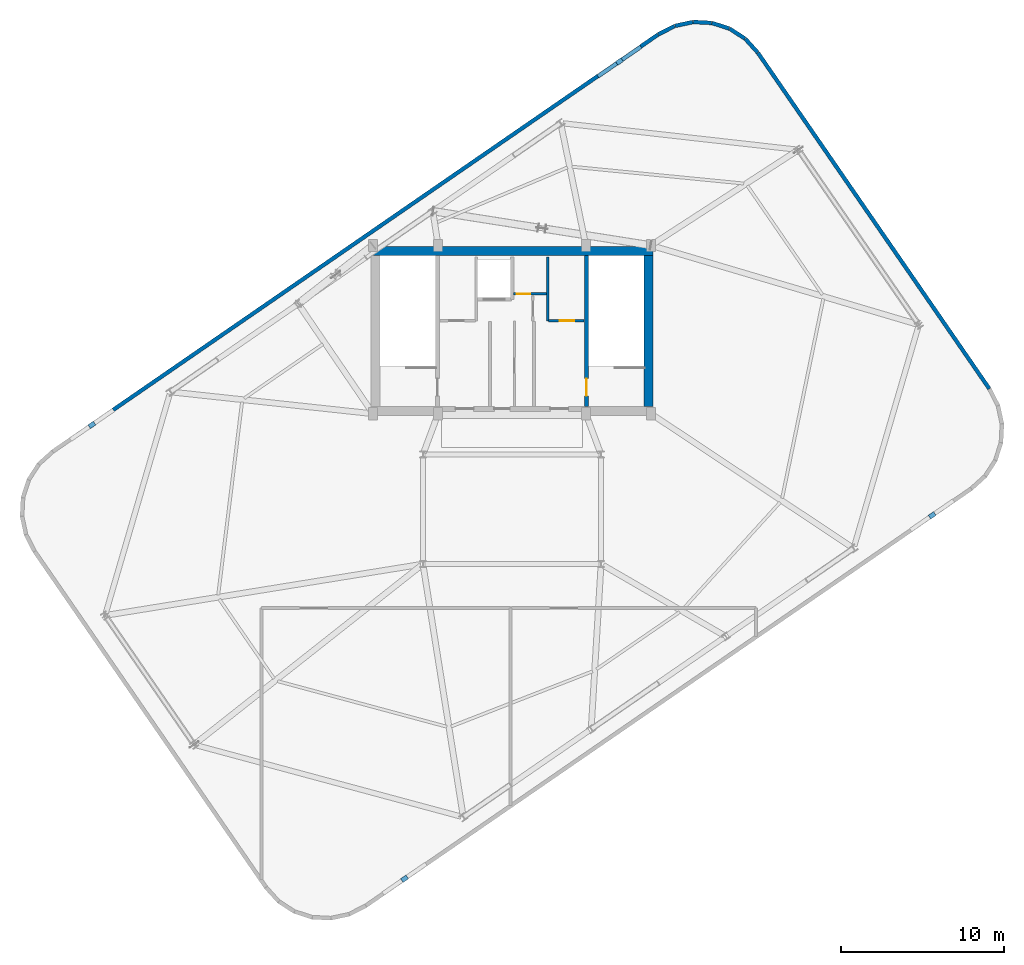
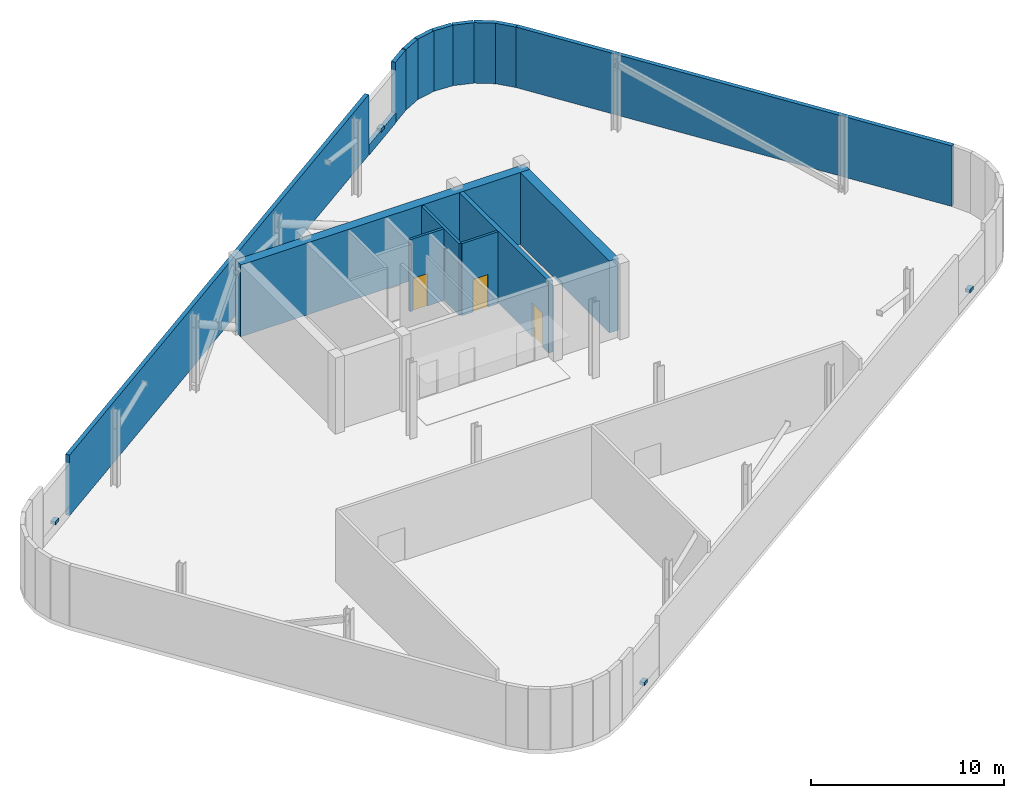
# One storey, part 9 of 10: 16 walls, 4 discrete accessories, 3 doors, 3 openings.
"""IFC4 building model written with IfcOpenShell, lengths in metres."""

import ifcopenshell
import ifcopenshell.guid

model = None  # the IFC model being written
_history = None  # IfcOwnerHistory: only IFC2X3 demands one
_inside = {}  # id of a spatial element -> (the spatial element, [elements in it])
_under = {}  # id of a project, library or spatial element -> (it, [spatial elements below it])
_declared = {}  # id of a project -> (the project, [libraries it declares])
_typed = {}  # id of a type object -> (the type object, [elements of that type])
_made_of = {}  # id of a material, layer set ... -> (it, [elements and type objects made of it])


def new_model(schema):
    """Start an empty IFC model of exactly this schema.

    Asked for "IFC4X3", IfcOpenShell would pick the latest addendum, in which some entities
    have other attributes; the version numbers below select the first issue.
    IFC2X3 requires an IfcOwnerHistory on every rooted entity: one is made here for all.
    """
    global model, _history
    if schema == "IFC4X3":
        model = ifcopenshell.file(schema_version=(4, 3, 0, 0))
    else:
        model = ifcopenshell.file(schema=schema)
    _inside.clear()
    _under.clear()
    _declared.clear()
    _typed.clear()
    _made_of.clear()
    _history = None
    if model.schema == "IFC2X3":
        org = make("IfcOrganization", Name="unknown")
        user = make(
            "IfcPersonAndOrganization",
            ThePerson=make("IfcPerson", FamilyName="unknown"),
            TheOrganization=org,
        )
        app = make(
            "IfcApplication",
            ApplicationDeveloper=org,
            Version="unknown",
            ApplicationFullName="unknown",
            ApplicationIdentifier="unknown",
        )
        _history = make(
            "IfcOwnerHistory",
            OwningUser=user,
            OwningApplication=app,
            ChangeAction="ADDED",
            CreationDate=0,
        )
    return model


def make(cls, **values):
    """One entity of the class cls with the attributes given. An attribute that is None is left unset."""
    return model.create_entity(
        cls, **{name: value for name, value in values.items() if value is not None}
    )


def rooted(cls, **values):
    """An entity with a GlobalId (a new one), such as an element, a storey or a relation."""
    return make(cls, GlobalId=ifcopenshell.guid.new(), OwnerHistory=_history, **values)


def si_unit(unit_type, name, prefix=None):
    """IfcSIUnit, for example si_unit("LENGTHUNIT", "METRE", prefix="MILLI")."""
    return make("IfcSIUnit", UnitType=unit_type, Prefix=prefix, Name=name)


def assignment(units):
    """IfcUnitAssignment: the units of a project."""
    return None if units is None else make("IfcUnitAssignment", Units=units)


def point(xyz):
    """IfcCartesianPoint."""
    return None if xyz is None else make("IfcCartesianPoint", Coordinates=xyz)


def direction(xyz):
    """IfcDirection."""
    return None if xyz is None else make("IfcDirection", DirectionRatios=xyz)


def frame(location, z_axis=None, x_axis=None):
    """IfcAxis2Placement3D, a coordinate frame: its origin and axes. An axis left out is left unset."""
    return make(
        "IfcAxis2Placement3D",
        Location=point(location),
        Axis=direction(z_axis),
        RefDirection=direction(x_axis),
    )


def frame_2d(location, x_axis=None):
    """IfcAxis2Placement2D, a coordinate frame in the plane: its origin and x axis."""
    return make(
        "IfcAxis2Placement2D", Location=point(location), RefDirection=direction(x_axis)
    )


def origin():
    """The frame at (0, 0, 0) with its axes left unset."""
    return frame((0.0, 0.0, 0.0))


def origin_2d():
    """The frame at (0, 0) in the plane with its x axis left unset."""
    return frame_2d((0.0, 0.0))


def place(relative_to, where):
    """IfcLocalPlacement: puts the frame where relative to a parent placement (None: the world)."""
    return make(
        "IfcLocalPlacement", PlacementRelTo=relative_to, RelativePlacement=where
    )


def context(
    kind, dimensions, precision=None, world=None, true_north=None, identifier=None
):
    """IfcGeometricRepresentationContext, for example the 3D "Model" context."""
    return make(
        "IfcGeometricRepresentationContext",
        ContextIdentifier=identifier,
        ContextType=kind,
        CoordinateSpaceDimension=dimensions,
        Precision=precision,
        WorldCoordinateSystem=world,
        TrueNorth=true_north,
    )


def subcontext(parent, identifier, kind, view, scale=None):
    """IfcGeometricRepresentationSubContext, for example "Body" below "Model"."""
    return make(
        "IfcGeometricRepresentationSubContext",
        ContextIdentifier=identifier,
        ContextType=kind,
        ParentContext=parent,
        TargetScale=scale,
        TargetView=view,
    )


def project(units=None, contexts=None):
    """IfcProject with its units and contexts."""
    return rooted(
        "IfcProject",
        Name="project",
        RepresentationContexts=contexts,
        UnitsInContext=assignment(units),
    )


def spatial(cls, under=None, at=None, **own):
    """A site, building, storey or space (cls), placed at a placement, below another one or the project."""
    s = rooted(cls, ObjectPlacement=at, **own)
    if under is not None:
        _under.setdefault(under.id(), (under, []))[1].append(s)
    return s


def profile(cls, at=None, kind="AREA", **sizes):
    """A parametric profile (cls). Its sizes go by their IFC names, for example OverallWidth=200.0."""
    return make(cls, ProfileType=kind, Position=at, **sizes)


def rectangle(**sizes):
    """IfcRectangleProfileDef."""
    return profile("IfcRectangleProfileDef", **sizes)


def extrude(swept, where, along, depth):
    """IfcExtrudedAreaSolid: the profile swept, set in the frame where, extruded along a direction by depth."""
    return make(
        "IfcExtrudedAreaSolid",
        SweptArea=swept,
        Position=where,
        ExtrudedDirection=direction(along),
        Depth=depth,
    )


def shape(context_of_items, identifier, shape_type, items):
    """IfcShapeRepresentation: the items that make up one representation, for example the "Body"."""
    return make(
        "IfcShapeRepresentation",
        ContextOfItems=context_of_items,
        RepresentationIdentifier=identifier,
        RepresentationType=shape_type,
        Items=items,
    )


def source(mapping_origin, context_of_items, identifier, shape_type, items):
    """IfcRepresentationMap: a shape defined once, which mapped items show again and again."""
    return make(
        "IfcRepresentationMap",
        MappingOrigin=mapping_origin,
        MappedRepresentation=shape(context_of_items, identifier, shape_type, items),
    )


def transform(
    local_origin,
    x_axis=None,
    y_axis=None,
    z_axis=None,
    scale=None,
    scale2=None,
    scale3=None,
    uniform=True,
):
    """IfcCartesianTransformationOperator3D, or its non-uniform kind. x_axis, y_axis, z_axis: its Axis1, 2, 3."""
    if uniform:
        return make(
            "IfcCartesianTransformationOperator3D",
            Axis1=direction(x_axis),
            Axis2=direction(y_axis),
            LocalOrigin=point(local_origin),
            Scale=scale,
            Axis3=direction(z_axis),
        )
    return make(
        "IfcCartesianTransformationOperator3DnonUniform",
        Axis1=direction(x_axis),
        Axis2=direction(y_axis),
        LocalOrigin=point(local_origin),
        Scale=scale,
        Axis3=direction(z_axis),
        Scale2=scale2,
        Scale3=scale3,
    )


def mapped(mapping_source, mapping_target):
    """IfcMappedItem: shows the shape of a source again, moved by a transform."""
    return make(
        "IfcMappedItem", MappingSource=mapping_source, MappingTarget=mapping_target
    )


def material(Name=None, Category=None):
    """IfcMaterial."""
    return make("IfcMaterial", Name=Name, Category=Category)


def layer(
    of_material, thickness, ventilated=None, Name=None, Category=None, Priority=None
):
    """IfcMaterialLayer: one layer of a wall or slab, of a material (None: an air gap)."""
    return make(
        "IfcMaterialLayer",
        Material=of_material,
        LayerThickness=thickness,
        IsVentilated=ventilated,
        Name=Name,
        Category=Category,
        Priority=Priority,
    )


def layer_set(layers, Name=None):
    """IfcMaterialLayerSet."""
    return make("IfcMaterialLayerSet", MaterialLayers=layers, LayerSetName=Name)


def made_of(thing, what):
    """Note that an element or type object is made of a material, layer set ...; save() writes the relation."""
    if what is not None:
        _made_of.setdefault(what.id(), (what, []))[1].append(thing)
    return thing


def type_object(cls, material=None, **own):
    """A type object (cls), such as IfcWallType, which elements share."""
    return made_of(rooted(cls, **own), material)


def element(
    cls,
    number,
    at=None,
    inside=None,
    cuts=None,
    type_object=None,
    material=None,
    context=None,
    identifier="Body",
    shape_type=None,
    held_by="IfcProductDefinitionShape",
    body=None,
    shapes=None,
    **own,
):
    """One element of the class cls, such as IfcWall. Its Tag is "e" and its number.

    at: its placement. inside: the storey or other place that contains it. cuts: it is an
    opening in that element (IfcRelVoidsElement). A single representation is given by context,
    identifier, shape_type and body (its items); several are given by shapes. held_by: the class
    of the entity that holds the representations. save() writes the other relations.
    """
    e = rooted(cls, Tag="e%d" % number, ObjectPlacement=at, **own)
    if body is not None:
        shapes = [shape(context, identifier, shape_type, body)]
    if shapes is not None:
        e.Representation = make(held_by, Representations=shapes)
    if inside is not None:
        _inside.setdefault(inside.id(), (inside, []))[1].append(e)
    if cuts is not None:
        rooted(
            "IfcRelVoidsElement", RelatingBuildingElement=cuts, RelatedOpeningElement=e
        )
    if type_object is not None:
        _typed.setdefault(type_object.id(), (type_object, []))[1].append(e)
    return made_of(e, material)


def fill(opening, filler):
    """IfcRelFillsElement: the door or window that sits in an opening."""
    return rooted(
        "IfcRelFillsElement",
        RelatingOpeningElement=opening,
        RelatedBuildingElement=filler,
    )


def aggregate(whole, parts):
    """IfcRelAggregates: a whole, such as a stair, and the parts it consists of."""
    return rooted("IfcRelAggregates", RelatingObject=whole, RelatedObjects=parts)


def save(model, path):
    """Write the relations noted so far, then the file.

    IfcRelAggregates (storeys below a building ...), IfcRelContainedInSpatialStructure (elements
    in a storey), IfcRelDefinesByType, IfcRelAssociatesMaterial and IfcRelDeclares: one each for
    every whole, place, type object, material and project.
    """
    for whole, parts in _under.values():
        aggregate(whole, parts)
    for where, things in _inside.values():
        rooted(
            "IfcRelContainedInSpatialStructure",
            RelatedElements=things,
            RelatingStructure=where,
        )
    for kind, things in _typed.values():
        rooted("IfcRelDefinesByType", RelatedObjects=things, RelatingType=kind)
    for what, things in _made_of.values():
        rooted("IfcRelAssociatesMaterial", RelatedObjects=things, RelatingMaterial=what)
    for by, libraries in _declared.values():
        rooted("IfcRelDeclares", RelatingContext=by, RelatedDefinitions=libraries)
    model.write(path)


model = new_model("IFC4")

# Units and contexts
model_context = context("Model", 3, precision=1e-05, world=origin(), true_north=direction((0.0, 1.0)))
body_context = subcontext(model_context, "Body", "Model", "MODEL_VIEW")
ifc_project = project(units=[si_unit("LENGTHUNIT", "METRE"), si_unit("AREAUNIT", "SQUARE_METRE"), si_unit("VOLUMEUNIT", "CUBIC_METRE"), si_unit("PLANEANGLEUNIT", "RADIAN"), si_unit("MASSUNIT", "GRAM", prefix="KILO")], contexts=[model_context])

# Site, building, storey
site_placement = place(None, origin())
site = spatial("IfcSite", under=ifc_project, at=site_placement, CompositionType="ELEMENT")
building_placement = place(site_placement, origin())
building = spatial("IfcBuilding", under=site, at=building_placement, Name="Varnelok Gate Tower", CompositionType="ELEMENT")
storey_placement = place(building_placement, frame((0.0, 0.0, 305.89990234375)))
storey = spatial("IfcBuildingStorey", under=building, at=storey_placement, Name="L78", CompositionType="ELEMENT", Elevation=305.89990234375)

# Walls
ifc_material_1 = material(Name="Concrete C45/55", Category="concrete")
ifc_layer_1 = layer(ifc_material_1, 0.239990234375)
ifc_layer_set_1 = layer_set([ifc_layer_1], Name="Concrete C45/55")
wall_type_1 = type_object("IfcWallType", Name="EW-PLANT-240", PredefinedType="SOLIDWALL", material=ifc_layer_set_1)
wall_1_placement = place(storey_placement, frame((44.45947265625, 49.3955078125, 0.0), z_axis=(0.0, 0.0, 1.0), x_axis=(0.82350284866, 0.567312134763, 0.0)))
element("IfcWall", 1, at=wall_1_placement, inside=storey, type_object=wall_type_1, Name="L78 Plant Louvre Sill Wall N2", PredefinedType="SOLIDWALL", context=body_context, shape_type="SweptSolid", body=[
    extrude(rectangle(XDim=3.199951171875, YDim=0.239990234375, at=frame_2d((1.60009765625, 0.0))), origin(), (0.0, 0.0, 1.0), 0.650146484375),
])
wall_2_placement = place(storey_placement, frame((68.40869140625, 30.281005859375, 0.0), z_axis=(0.0, 0.0, 1.0), x_axis=(-0.567267940859, 0.823533292146, 0.0)))
element("IfcWall", 2, at=wall_2_placement, inside=storey, type_object=wall_type_1, Name="L78 Perimeter Facade Closure Wall 16", PredefinedType="SOLIDWALL", context=body_context, shape_type="SweptSolid", body=[
    extrude(rectangle(XDim=24.95947265625, YDim=0.239990234375, at=frame_2d((12.479736328125, 0.0))), origin(), (0.0, 0.0, 1.0), 3.820068359375),
])
wall_3_placement = place(storey_placement, frame((54.2333984375, 50.8544921875, 0.0), z_axis=(0.0, 0.0, 1.0), x_axis=(-0.669970349923, 0.742387857002, 0.0)))
element("IfcWall", 3, at=wall_3_placement, inside=storey, type_object=wall_type_1, Name="L78 Perimeter Facade Closure Wall 17", PredefinedType="SOLIDWALL", context=body_context, shape_type="SweptSolid", body=[
    extrude(rectangle(XDim=1.1259765625, YDim=0.239990234375, at=frame_2d((0.56298828125, 0.0))), origin(), (0.0, 0.0, 1.0), 3.820068359375),
])
wall_4_placement = place(storey_placement, frame((53.4580078125, 51.7041015625, 0.0), z_axis=(0.0, 0.0, 1.0), x_axis=(-0.839236036225, 0.543767299037, 0.0)))
element("IfcWall", 4, at=wall_4_placement, inside=storey, type_object=wall_type_1, Name="L78 Perimeter Facade Closure Wall 18", PredefinedType="SOLIDWALL", context=body_context, shape_type="SweptSolid", body=[
    extrude(rectangle(XDim=1.117919921875, YDim=0.239990234375, at=frame_2d((0.55908203125, 0.0))), origin(), (0.0, 0.0, 1.0), 3.820068359375),
])
for number, where, z_axis, x_axis, name in (
    (5, (52.495849609375, 52.31982421875, 0.0), (0.0, 0.0, 1.0), (-0.951356078726, 0.308093510921, 0.0), "L78 Perimeter Facade Closure Wall 19"),
    (6, (51.4072265625, 52.66552734375, 0.0), (0.0, 0.0, 1.0), (-0.998682791079, 0.051309675536, 0.0), "L78 Perimeter Facade Closure Wall 20"),
    (7, (50.26611328125, 52.717529296875, 0.0), (0.0, 0.0, 1.0), (-0.977926852423, -0.208947532433, 0.0), "L78 Perimeter Facade Closure Wall 21"),
):
    element("IfcWall", number, at=place(storey_placement, frame(where, z_axis=z_axis, x_axis=x_axis)), inside=storey, type_object=wall_type_1, Name=name, PredefinedType="SOLIDWALL", context=body_context, shape_type="SweptSolid", body=[
        extrude(rectangle(XDim=1.1181640625, YDim=0.239990234375, at=frame_2d((0.55908203125, 0.0))), origin(), (0.0, 0.0, 1.0), 3.820068359375),
    ])
wall_5_placement = place(storey_placement, frame((49.150390625, 52.47265625, 0.0), z_axis=(0.0, 0.0, 1.0), x_axis=(-0.890491286744, -0.455000294761, 0.0)))
element("IfcWall", 8, at=wall_5_placement, inside=storey, type_object=wall_type_1, Name="L78 Perimeter Facade Closure Wall 22", PredefinedType="SOLIDWALL", context=body_context, shape_type="SweptSolid", body=[
    extrude(rectangle(XDim=1.126220703125, YDim=0.239990234375, at=frame_2d((0.56298828125, 0.0))), origin(), (0.0, 0.0, 1.0), 3.820068359375),
])
wall_6_placement = place(storey_placement, frame((48.126953125, 51.946044921875, 0.0), z_axis=(0.0, 0.0, 1.0), x_axis=(-0.823535605794, -0.567264581998, 0.0)))
element("IfcWall", 9, at=wall_6_placement, inside=storey, type_object=wall_type_1, Name="L78 Perimeter Facade Closure Wall 23", PredefinedType="SOLIDWALL", context=body_context, shape_type="SweptSolid", body=[
    extrude(rectangle(XDim=1.26708984375, YDim=0.239990234375, at=frame_2d((0.633544921875, 0.0))), origin(), (0.0, 0.0, 1.0), 3.820068359375),
])
wall_7_placement = place(storey_placement, frame((44.447998046875, 49.412109375, 0.0), z_axis=(0.0, 0.0, 1.0), x_axis=(-0.823531813074, -0.567270088102, 0.0)))
element("IfcWall", 10, at=wall_7_placement, inside=storey, type_object=wall_type_1, Name="L78 Perimeter Facade Closure Wall 24", PredefinedType="SOLIDWALL", context=body_context, shape_type="SweptSolid", body=[
    extrude(rectangle(XDim=36.01025390625, YDim=0.239990234375, at=frame_2d((18.005126953125, 0.0))), origin(), (0.0, 0.0, 1.0), 3.820068359375),
])

# Wall, opening, door
ifc_material_2 = material(Name="Gypsum Plasterboard Acoustic Partition", Category="gypsum")
ifc_layer_2 = layer(ifc_material_2, 0.14990234375)
ifc_layer_set_2 = layer_set([ifc_layer_2], Name="Gypsum Plasterboard Acoustic Partition")
wall_type_2 = type_object("IfcWallType", Name="PW-PART-150", PredefinedType="PARTITIONING", material=ifc_layer_set_2)
wall_8_placement = place(storey_placement, frame((41.43994140625, 34.43994140625, 0.0), z_axis=(0.0, 0.0, 1.0), x_axis=(1.0, 0.0, 0.0)))
wall_8 = element("IfcWall", 11, at=wall_8_placement, inside=storey, type_object=wall_type_2, Name="Interior Partition", PredefinedType="PARTITIONING", context=body_context, shape_type="SweptSolid", body=[
    extrude(rectangle(XDim=2.16015625, YDim=0.14990234375, at=frame_2d((1.080078125, 0.0))), origin(), (0.0, 0.0, 1.0), 4.5400390625),
])
opening_1_placement = place(wall_8_placement, frame((0.668212890625, 0.0, 0.0)))
opening_1 = element("IfcOpeningElement", 12, at=opening_1_placement, cuts=wall_8, Name="Opening D-I4", PredefinedType="OPENING", context=body_context, shape_type="SweptSolid", body=[
    extrude(rectangle(XDim=0.89990234375, YDim=2.050048828125, at=frame_2d((0.449951171875, 1.02490234375))), frame((0.0, 0.0849609375, 0.0), z_axis=(0.0, -1.0, 0.0), x_axis=(1.0, 0.0, 0.0)), (0.0, 0.0, 1.0), 0.169921875),
])
ifc_material_3 = material(Name="Engineered Hardwood Timber", Category="wood")
door_type_1 = type_object("IfcDoorType", Name="DR-INT-900", OperationType="NOTDEFINED", PredefinedType="DOOR", material=ifc_material_3)
door_1_placement = place(opening_1_placement, origin())
door_1 = element("IfcDoor", 13, at=door_1_placement, inside=storey, type_object=door_type_1, Name="L78 Emergency Gear Store Door", OperationType="SINGLE_SWING_LEFT", OverallHeight=2.050048828125, OverallWidth=0.89990234375, PredefinedType="DOOR", context=body_context, shape_type="SweptSolid", body=[
    extrude(rectangle(XDim=0.89990234375, YDim=2.050048828125, at=frame_2d((0.449951171875, 1.02490234375))), frame((0.0, 0.02490234375, 0.0), z_axis=(0.0, -1.0, 0.0), x_axis=(1.0, 0.0, 0.0)), (0.0, 0.0, 1.0), 0.050048828125),
])
fill(opening_1, door_1)

# Wall
wall_9_placement = place(storey_placement, frame((41.39990234375, 34.43994140625, 0.0), z_axis=(0.0, 0.0, 1.0), x_axis=(0.0, 1.0, 0.0)))
element("IfcWall", 14, at=wall_9_placement, inside=storey, type_object=wall_type_2, Name="Interior Partition", PredefinedType="PARTITIONING", context=body_context, shape_type="SweptSolid", body=[
    extrude(rectangle(XDim=3.900146484375, YDim=0.14990234375, at=frame_2d((1.9501953125, 0.0))), origin(), (0.0, 0.0, 1.0), 4.5400390625),
])

# Wall, opening, door
wall_10_placement = place(storey_placement, frame((39.300048828125, 36.080078125, 0.0), z_axis=(0.0, 0.0, 1.0), x_axis=(1.0, 0.0, 0.0)))
wall_10 = element("IfcWall", 15, at=wall_10_placement, inside=storey, type_object=wall_type_2, Name="L78 Electrical Closet South Wall", PredefinedType="PARTITIONING", context=body_context, shape_type="SweptSolid", body=[
    extrude(rectangle(XDim=2.02001953125, YDim=0.14990234375, at=frame_2d((1.010009765625, 0.0))), origin(), (0.0, 0.0, 1.0), 4.5400390625),
])
opening_2_placement = place(wall_10_placement, frame((0.179931640625, 0.0, 0.0)))
opening_2 = element("IfcOpeningElement", 16, at=opening_2_placement, cuts=wall_10, Name="Opening D-RS", PredefinedType="OPENING", context=body_context, shape_type="SweptSolid", body=[
    extrude(rectangle(XDim=0.85009765625, YDim=2.050048828125, at=frame_2d((0.425048828125, 1.02490234375))), frame((0.0, 0.0849609375, 0.0), z_axis=(0.0, -1.0, 0.0), x_axis=(1.0, 0.0, 0.0)), (0.0, 0.0, 1.0), 0.169921875),
])
ifc_material_4 = material(Name="Galvanized Steel Grade S350GD", Category="steel")
door_type_2 = type_object("IfcDoorType", Name="DR-RISER-850", OperationType="NOTDEFINED", PredefinedType="DOOR", material=ifc_material_4)
door_2_placement = place(opening_2_placement, origin())
door_2 = element("IfcDoor", 17, at=door_2_placement, inside=storey, type_object=door_type_2, Name="L78 Electrical Closet Door", OperationType="SINGLE_SWING_RIGHT", OverallHeight=2.050048828125, OverallWidth=0.85009765625, PredefinedType="DOOR", context=body_context, shape_type="SweptSolid", body=[
    extrude(rectangle(XDim=0.85009765625, YDim=2.050048828125, at=frame_2d((0.425048828125, 1.02490234375))), frame((0.0, 0.02490234375, 0.0), z_axis=(0.0, -1.0, 0.0), x_axis=(1.0, 0.0, 0.0)), (0.0, 0.0, 1.0), 0.050048828125),
])
fill(opening_2, door_2)

# Walls
ifc_material_5 = material(Name="Concrete C60/75", Category="concrete")
ifc_layer_3 = layer(ifc_material_5, 0.550048828125)
ifc_layer_set_3 = layer_set([ifc_layer_3], Name="Concrete C60/75")
wall_type_3 = type_object("IfcWallType", Name="SW-CORE-550", PredefinedType="SHEAR", material=ifc_layer_set_3)
wall_11_placement = place(storey_placement, frame((30.580078125, 38.695068359375, 0.0), z_axis=(0.0, 0.0, 1.0), x_axis=(1.0, 0.0, 0.0)))
element("IfcWall", 18, at=wall_11_placement, inside=storey, type_object=wall_type_3, Name="L78 Rear Core North Shear Wall", PredefinedType="SHEAR", context=body_context, shape_type="SweptSolid", body=[
    extrude(rectangle(XDim=17.239990234375, YDim=0.550048828125, at=frame_2d((8.6201171875, 0.0))), origin(), (0.0, 0.0, 1.0), 4.5400390625),
])
wall_12_placement = place(storey_placement, frame((47.544921875, 29.199951171875, 0.0), z_axis=(0.0, 0.0, 1.0), x_axis=(0.0, 1.0, 0.0)))
element("IfcWall", 19, at=wall_12_placement, inside=storey, type_object=wall_type_3, Name="L78 Rear Core East Shear Wall", PredefinedType="SHEAR", context=body_context, shape_type="SweptSolid", body=[
    extrude(rectangle(XDim=9.219970703125, YDim=0.550048828125, at=frame_2d((4.60986328125, 0.0))), origin(), (0.0, 0.0, 1.0), 4.5400390625),
])

# Wall, opening, door
ifc_layer_4 = layer(ifc_material_5, 0.25)
ifc_layer_set_4 = layer_set([ifc_layer_4], Name="Concrete C60/75")
wall_type_4 = type_object("IfcWallType", Name="SW-SHAFT-250", PredefinedType="SHEAR", material=ifc_layer_set_4)
wall_13_placement = place(storey_placement, frame((43.760009765625, 29.199951171875, 0.0), z_axis=(0.0, 0.0, 1.0), x_axis=(0.0, 1.0, 0.0)))
wall_13 = element("IfcWall", 20, at=wall_13_placement, inside=storey, type_object=wall_type_4, Name="L78 Stair ST-2 West Shear Wall", PredefinedType="SHEAR", context=body_context, shape_type="SweptSolid", body=[
    extrude(rectangle(XDim=9.219970703125, YDim=0.25, at=frame_2d((4.60986328125, 0.0))), origin(), (0.0, 0.0, 1.0), 4.5400390625),
])
opening_3_placement = place(wall_13_placement, frame((0.64990234375, 0.0, 0.0)))
opening_3 = element("IfcOpeningElement", 21, at=opening_3_placement, cuts=wall_13, Name="Opening D-ST", PredefinedType="OPENING", context=body_context, shape_type="SweptSolid", body=[
    extrude(rectangle(XDim=1.050048828125, YDim=2.14990234375, at=frame_2d((0.52490234375, 1.074951171875))), frame((0.0, 0.135009765625, 0.0), z_axis=(0.0, -1.0, 0.0), x_axis=(1.0, 0.0, 0.0)), (0.0, 0.0, 1.0), 0.27001953125),
])
door_type_3 = type_object("IfcDoorType", Name="DR-STAIR-1050", OperationType="NOTDEFINED", PredefinedType="DOOR", material=ifc_material_4)
door_3_placement = place(opening_3_placement, origin())
door_3 = element("IfcDoor", 22, at=door_3_placement, inside=storey, type_object=door_type_3, Name="L78 Exit Stair ST-2 Fire Door", OperationType="SINGLE_SWING_RIGHT", OverallHeight=2.14990234375, OverallWidth=1.050048828125, PredefinedType="DOOR", context=body_context, shape_type="SweptSolid", body=[
    extrude(rectangle(XDim=1.050048828125, YDim=2.14990234375, at=frame_2d((0.52490234375, 1.074951171875))), frame((0.0, 0.02490234375, 0.0), z_axis=(0.0, -1.0, 0.0), x_axis=(1.0, 0.0, 0.0)), (0.0, 0.0, 1.0), 0.050048828125),
])
fill(opening_3, door_3)

# Discrete accessories
ifc_material_6 = material(Name="Structural Steel ASTM A500 Grade C", Category="steel")
discrete_accessory_type = type_object("IfcDiscreteAccessoryType", Name="ACC-BAGUETTE-BRK", PredefinedType="BRACKET", material=ifc_material_6)
shared_shape = source(origin(), body_context, "Body", "SweptSolid", [
    extrude(rectangle(XDim=0.39990234375, YDim=0.280029296875, at=origin_2d()), origin(), (0.0, 0.0, 1.0), 0.199951171875),
])
for number, where, z_axis, x_axis, name in (
    (23, (32.622802734375, 0.296875, 0.55029296875), (0.0, 0.0, 1.0), (0.823532597628, 0.567268949127, 0.0), "L78 Acoustic Louvre Cleat Bracket S1"),
    (24, (64.905517578125, 22.53369140625, 0.55029296875), (0.0, 0.0, 1.0), (0.823532597628, 0.567268949127, 0.0), "L78 Acoustic Louvre Cleat Bracket S2"),
    (25, (13.49462890625, 28.06640625, 0.55029296875), (0.0, 0.0, 1.0), (0.823532597628, 0.567268949127, 0.0), "L78 Acoustic Louvre Cleat Bracket N1"),
    (26, (45.777099609375, 50.30322265625, 0.55029296875), (0.0, 0.0, 1.0), (0.823532597628, 0.567268949127, 0.0), "L78 Acoustic Louvre Cleat Bracket N2"),
):
    element("IfcDiscreteAccessory", number, at=place(storey_placement, frame(where, z_axis=z_axis, x_axis=x_axis)), inside=storey, type_object=discrete_accessory_type, Name=name, PredefinedType="BRACKET", context=body_context, shape_type="MappedRepresentation", body=[
        mapped(shared_shape, transform((0.0, 0.0, 0.0), scale=1.0)),
    ])

save(model, "model.ifc")
